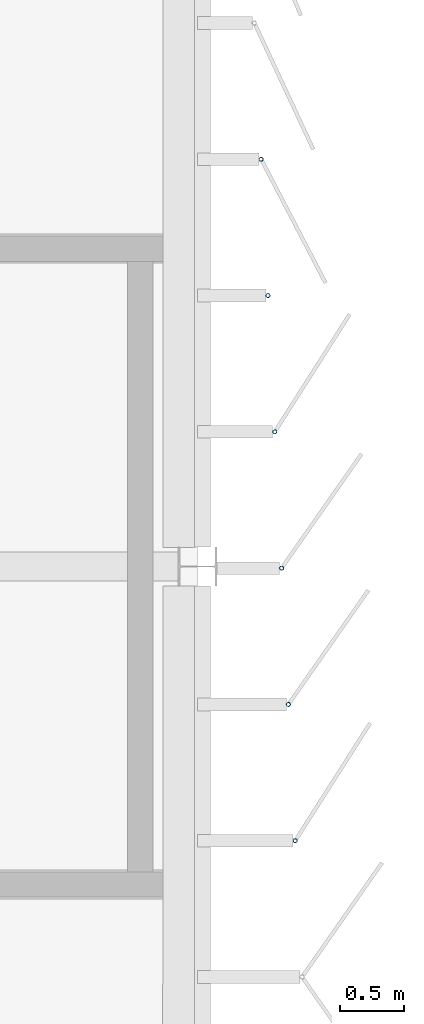
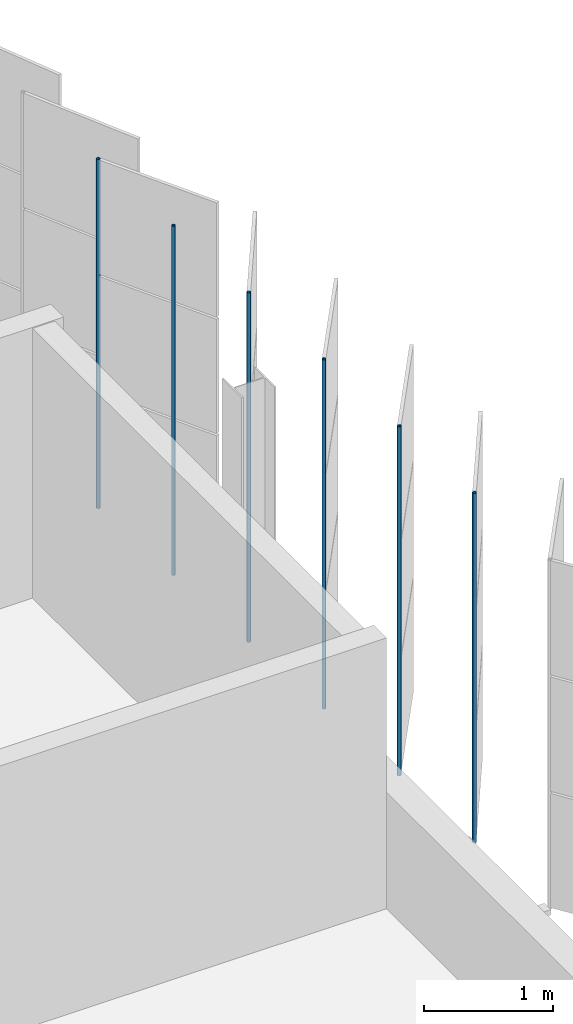
# One storey, part 95 of 199: 6 discrete accessories.
"""IFC4 building model written with IfcOpenShell, lengths in metres."""

from ifc_helpers import new_model, si_unit, direction, frame, origin, origin_2d, place, context, subcontext, project, spatial, hollow_circle, extrude, material, material_profile, profile_set, type_object, element, save


model = new_model("IFC4")

# Units and contexts
model_context = context("Model", 3, precision=1e-05, world=origin(), true_north=direction((0.0, 1.0)))
body_context = subcontext(model_context, "Body", "Model", "MODEL_VIEW")
ifc_project = project(units=[si_unit("LENGTHUNIT", "METRE"), si_unit("AREAUNIT", "SQUARE_METRE"), si_unit("VOLUMEUNIT", "CUBIC_METRE"), si_unit("PLANEANGLEUNIT", "RADIAN"), si_unit("MASSUNIT", "GRAM", prefix="KILO")], contexts=[model_context])

# Site, building, storey
site_placement = place(None, origin())
site = spatial("IfcSite", under=ifc_project, at=site_placement, CompositionType="ELEMENT")
building_placement = place(site_placement, origin())
building = spatial("IfcBuilding", under=site, at=building_placement, Name="Parallax Yard Mobility Hub", CompositionType="ELEMENT")
storey_placement = place(building_placement, frame((0.0, 0.0, 9.89990234375)))
storey = spatial("IfcBuildingStorey", under=building, at=storey_placement, Name="L03", CompositionType="ELEMENT", Elevation=9.89990234375)

# Discrete accessories
ifc_material = material(Name="Steel ASTM A500 Gr C, hot-dip galvanised", Category="steel")
ifc_material_profile = material_profile(ifc_material, hollow_circle(Radius=0.016845703125, WallThickness=0.003173828125, at=origin_2d()), Name="CHS 33.7x3.2")
ifc_profile_set = profile_set([ifc_material_profile], Name="Steel ASTM A500 Gr C, hot-dip galvanised")
discrete_accessory_type = type_object("IfcDiscreteAccessoryType", Name="Hinge post CHS 33.7x3.2", PredefinedType="BRACKET", material=ifc_profile_set)
for number, where, z_axis, x_axis, name in (
    (1, (225.76953125, 35.34423828125, 0.0), (0.0, 0.0, 1.0), (1.0, 0.0, 0.0), "Hinge post bay 33.6 level L03"),
    (2, (225.716064453125, 36.416015625, 0.0), (0.0, 0.0, 1.0), (1.0, 0.0, 0.0), "Hinge post bay 33.7 level L03"),
    (3, (225.66259765625, 37.487548828125, 0.0), (0.0, 0.0, 1.0), (1.0, 0.0, 0.0), "Hinge post bay 34.1 level L03"),
    (4, (225.60888671875, 38.559326171875, 0.0), (0.0, 0.0, 1.0), (1.0, 0.0, 0.0), "Hinge post bay 34.2 level L03"),
    (5, (225.555419921875, 39.631103515625, 0.0), (0.0, 0.0, 1.0), (1.0, 0.0, 0.0), "Hinge post bay 34.3 level L03"),
    (6, (225.501708984375, 40.702880859375, 0.0), (0.0, 0.0, 1.0), (1.0, 0.0, 0.0), "Hinge post bay 34.4 level L03"),
):
    element("IfcDiscreteAccessory", number, at=place(storey_placement, frame(where, z_axis=z_axis, x_axis=x_axis)), inside=storey, type_object=discrete_accessory_type, Name=name, PredefinedType="BRACKET", context=body_context, shape_type="SweptSolid", body=[
        extrude(hollow_circle(Radius=0.016845703125, WallThickness=0.003173828125, at=origin_2d()), origin(), (0.0, 0.0, 1.0), 3.300048828125),
    ])

save(model, "model.ifc")
